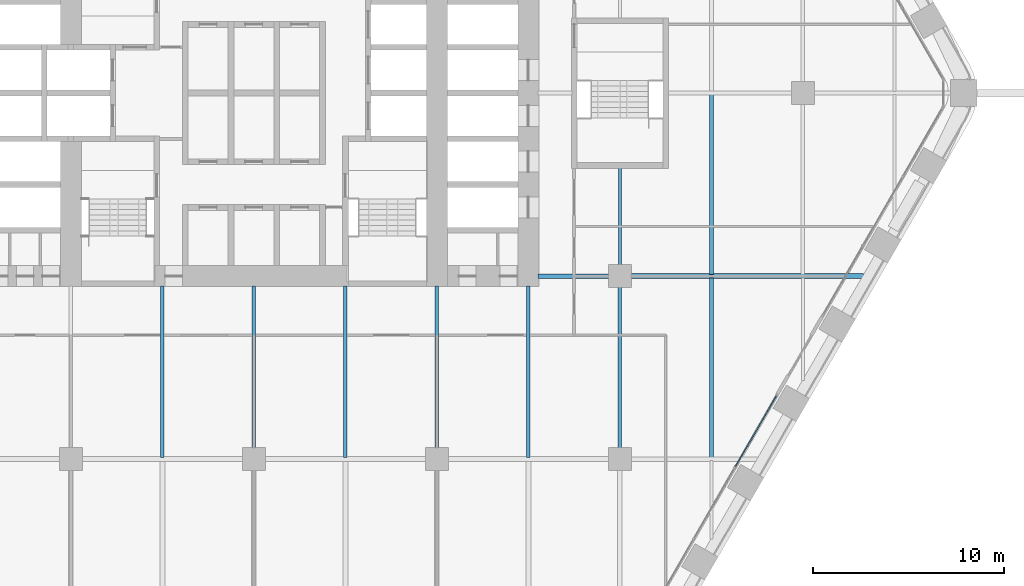
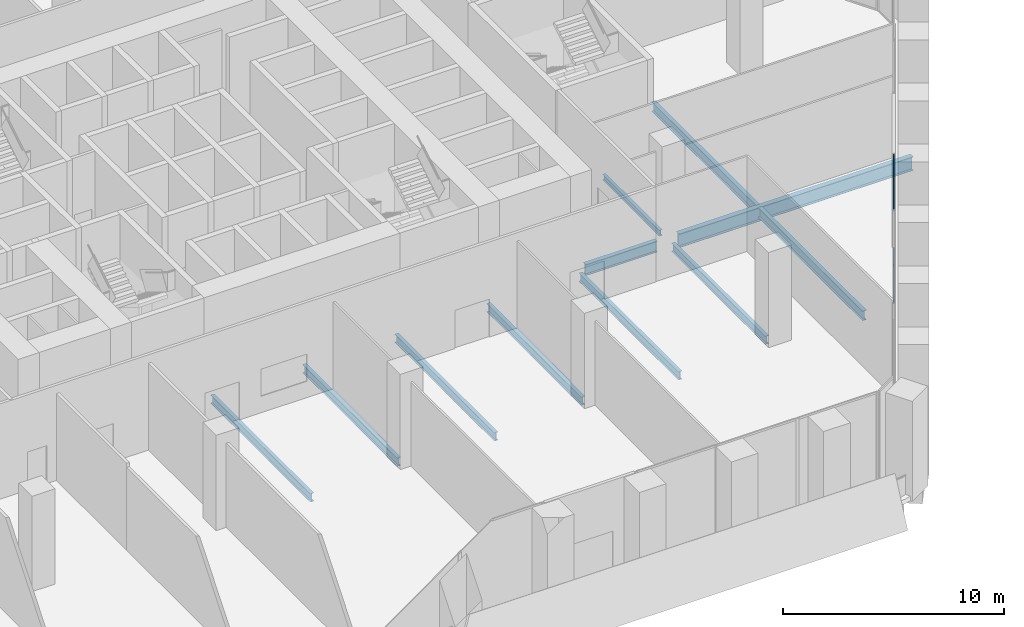
# One storey, part 6 of 29: 11 beams, 2 members, 1 element without a shape of its own.
"""IFC4 building model written with IfcOpenShell, lengths in metres."""

from ifc_helpers import new_model, si_unit, direction, frame, origin, origin_2d, place, context, subcontext, project, spatial, rectangle, i_section, extrude, material, material_profile, profile_set, type_object, element, aggregate, save


model = new_model("IFC4")

# Units and contexts
model_context = context("Model", 3, precision=1e-05, world=origin(), true_north=direction((0.0, 1.0)))
body_context = subcontext(model_context, "Body", "Model", "MODEL_VIEW")
ifc_project = project(units=[si_unit("LENGTHUNIT", "METRE"), si_unit("AREAUNIT", "SQUARE_METRE"), si_unit("VOLUMEUNIT", "CUBIC_METRE"), si_unit("PLANEANGLEUNIT", "RADIAN"), si_unit("MASSUNIT", "GRAM", prefix="KILO")], contexts=[model_context])

# Site, building, storey
site_placement = place(None, origin())
site = spatial("IfcSite", under=ifc_project, at=site_placement, CompositionType="ELEMENT")
building_placement = place(site_placement, origin())
building = spatial("IfcBuilding", under=site, at=building_placement, Name="Kolab Exchange Tower", CompositionType="ELEMENT")
storey_placement = place(building_placement, frame((0.0, 0.0, 33.39990234375)))
storey = spatial("IfcBuildingStorey", under=building, at=storey_placement, Name="L06", CompositionType="ELEMENT", Elevation=33.39990234375)

# Beams
ifc_material_1 = material(Name="Steel S355", Category="steel")
ifc_material_profile_1 = material_profile(ifc_material_1, i_section(OverallWidth=0.1650390625, OverallDepth=0.31005859375, WebThickness=0.005859375, FlangeThickness=0.009765625, at=origin_2d()), Name="W310X39")
ifc_profile_set_1 = profile_set([ifc_material_profile_1], Name="Steel S355")
beam_type_1 = type_object("IfcBeamType", Name="FLOOR BEAM W310X39", PredefinedType="BEAM", material=ifc_profile_set_1)
beam_1_placement = place(storey_placement, frame((19.199951171875, -9.0400390625, -0.40478515625), z_axis=(0.0, 1.0, 0.0), x_axis=(-1.0, 0.0, 0.0)))
element("IfcBeam", 1, at=beam_1_placement, inside=storey, type_object=beam_type_1, Name="beam/L06/fr/048", PredefinedType="BEAM", context=body_context, shape_type="SweptSolid", body=[
    extrude(i_section(OverallWidth=0.1650390625, OverallDepth=0.31005859375, WebThickness=0.005859375, FlangeThickness=0.009765625, at=origin_2d()), origin(), (0.0, 0.0, 1.0), 5.130126953125),
])
ifc_material_profile_2 = material_profile(ifc_material_1, i_section(OverallWidth=0.18994140625, OverallDepth=0.45703125, WebThickness=0.009033203125, FlangeThickness=0.014404296875, at=origin_2d()), Name="W460X74")
ifc_profile_set_2 = profile_set([ifc_material_profile_2], Name="Steel S355")
beam_type_2 = type_object("IfcBeamType", Name="FLOOR BEAM W460X74", PredefinedType="BEAM", material=ifc_profile_set_2)
beam_2_placement = place(storey_placement, frame((-4.800048828125, -19.113037109375, -0.478515625), z_axis=(0.0, 1.0, 0.0), x_axis=(-1.0, 0.0, 0.0)))
element("IfcBeam", 2, at=beam_2_placement, inside=storey, type_object=beam_type_2, Name="beam/L06/fr/027", PredefinedType="BEAM", context=body_context, shape_type="SweptSolid", body=[
    extrude(i_section(OverallWidth=0.18994140625, OverallDepth=0.45703125, WebThickness=0.009033203125, FlangeThickness=0.014404296875, at=origin_2d()), origin(), (0.0, 0.0, 1.0), 9.0029296875),
])
beam_3_placement = place(storey_placement, frame((0.0, -18.639892578125, -0.478515625), z_axis=(0.0, 1.0, 0.0), x_axis=(-1.0, 0.0, 0.0)))
element("IfcBeam", 3, at=beam_3_placement, inside=storey, type_object=beam_type_2, Name="beam/L06/fr/031", PredefinedType="BEAM", context=body_context, shape_type="SweptSolid", body=[
    extrude(i_section(OverallWidth=0.18994140625, OverallDepth=0.45703125, WebThickness=0.009033203125, FlangeThickness=0.014404296875, at=origin_2d()), origin(), (0.0, 0.0, 1.0), 8.52978515625),
])
beam_4_placement = place(storey_placement, frame((4.800048828125, -19.113037109375, -0.478515625), z_axis=(0.0, 1.0, 0.0), x_axis=(-1.0, 0.0, 0.0)))
element("IfcBeam", 4, at=beam_4_placement, inside=storey, type_object=beam_type_2, Name="beam/L06/fr/035", PredefinedType="BEAM", context=body_context, shape_type="SweptSolid", body=[
    extrude(i_section(OverallWidth=0.18994140625, OverallDepth=0.45703125, WebThickness=0.009033203125, FlangeThickness=0.014404296875, at=origin_2d()), origin(), (0.0, 0.0, 1.0), 9.0029296875),
])
beam_5_placement = place(storey_placement, frame((9.60009765625, -18.639892578125, -0.478515625), z_axis=(0.0, 1.0, 0.0), x_axis=(-1.0, 0.0, 0.0)))
element("IfcBeam", 5, at=beam_5_placement, inside=storey, type_object=beam_type_2, Name="beam/L06/fr/039", PredefinedType="BEAM", context=body_context, shape_type="SweptSolid", body=[
    extrude(i_section(OverallWidth=0.18994140625, OverallDepth=0.45703125, WebThickness=0.009033203125, FlangeThickness=0.014404296875, at=origin_2d()), origin(), (0.0, 0.0, 1.0), 8.52978515625),
])
beam_6_placement = place(storey_placement, frame((14.39990234375, -19.113037109375, -0.478515625), z_axis=(0.0, 1.0, 0.0), x_axis=(-1.0, 0.0, 0.0)))
element("IfcBeam", 6, at=beam_6_placement, inside=storey, type_object=beam_type_2, Name="beam/L06/fr/043", PredefinedType="BEAM", context=body_context, shape_type="SweptSolid", body=[
    extrude(i_section(OverallWidth=0.18994140625, OverallDepth=0.45703125, WebThickness=0.009033203125, FlangeThickness=0.014404296875, at=origin_2d()), origin(), (0.0, 0.0, 1.0), 9.0029296875),
])
beam_7_placement = place(storey_placement, frame((19.199951171875, -18.639892578125, -0.478515625), z_axis=(0.0, 1.0, 0.0), x_axis=(-1.0, 0.0, 0.0)))
element("IfcBeam", 7, at=beam_7_placement, inside=storey, type_object=beam_type_2, Name="beam/L06/fr/047", PredefinedType="BEAM", context=body_context, shape_type="SweptSolid", body=[
    extrude(i_section(OverallWidth=0.18994140625, OverallDepth=0.45703125, WebThickness=0.009033203125, FlangeThickness=0.014404296875, at=origin_2d()), origin(), (0.0, 0.0, 1.0), 8.47998046875),
])
ifc_material_profile_3 = material_profile(ifc_material_1, i_section(OverallWidth=0.208984375, OverallDepth=0.532958984375, WebThickness=0.01025390625, FlangeThickness=0.015625, at=origin_2d()), Name="W530X92")
ifc_profile_set_3 = profile_set([ifc_material_profile_3], Name="Steel S355")
beam_type_3 = type_object("IfcBeamType", Name="FLOOR BEAM W530X92", PredefinedType="BEAM", material=ifc_profile_set_3)
beam_8_placement = place(storey_placement, frame((24.0, -19.1259765625, -0.516357421875), z_axis=(0.0, 1.0, 0.0), x_axis=(-1.0, 0.0, 0.0)))
element("IfcBeam", 8, at=beam_8_placement, inside=storey, type_object=beam_type_3, Name="beam/L06/fr/053", PredefinedType="BEAM", context=body_context, shape_type="SweptSolid", body=[
    extrude(i_section(OverallWidth=0.208984375, OverallDepth=0.532958984375, WebThickness=0.01025390625, FlangeThickness=0.015625, at=origin_2d()), origin(), (0.0, 0.0, 1.0), 9.432373046875),
])
beam_9_placement = place(storey_placement, frame((24.0, -9.506591796875, -0.516357421875), z_axis=(0.0, 1.0, 0.0), x_axis=(-1.0, 0.0, 0.0)))
element("IfcBeam", 9, at=beam_9_placement, inside=storey, type_object=beam_type_3, Name="beam/L06/fr/054", PredefinedType="BEAM", context=body_context, shape_type="SweptSolid", body=[
    extrude(i_section(OverallWidth=0.208984375, OverallDepth=0.532958984375, WebThickness=0.01025390625, FlangeThickness=0.015625, at=origin_2d()), origin(), (0.0, 0.0, 1.0), 9.4326171875),
])
ifc_material_profile_4 = material_profile(ifc_material_1, i_section(OverallWidth=0.22802734375, OverallDepth=0.60791015625, WebThickness=0.01123046875, FlangeThickness=0.017333984375, at=origin_2d()), Name="W610X113")
ifc_profile_set_4 = profile_set([ifc_material_profile_4], Name="Steel S355")
beam_type_4 = type_object("IfcBeamType", Name="FLOOR GIRDER W610X113", PredefinedType="BEAM", material=ifc_profile_set_4)
beam_10_placement = place(storey_placement, frame((14.909912109375, -9.60009765625, -0.553955078125), z_axis=(1.0, 0.0, 0.0), x_axis=(0.0, 1.0, 0.0)))
element("IfcBeam", 10, at=beam_10_placement, inside=storey, type_object=beam_type_4, Name="beam/L06/gd/017", PredefinedType="BEAM", context=body_context, shape_type="SweptSolid", body=[
    extrude(i_section(OverallWidth=0.22802734375, OverallDepth=0.60791015625, WebThickness=0.01123046875, FlangeThickness=0.017333984375, at=origin_2d()), origin(), (0.0, 0.0, 1.0), 3.72998046875),
])
ifc_material_profile_5 = material_profile(ifc_material_1, i_section(OverallWidth=0.26708984375, OverallDepth=0.761962890625, WebThickness=0.014404296875, FlangeThickness=0.021484375, at=origin_2d()), Name="W760X173")
ifc_profile_set_5 = profile_set([ifc_material_profile_5], Name="Steel S355")
beam_type_5 = type_object("IfcBeamType", Name="FLOOR GIRDER W760X173", PredefinedType="BEAM", material=ifc_profile_set_5)
beam_11_placement = place(storey_placement, frame((19.760009765625, -9.60009765625, -0.630859375), z_axis=(1.0, 0.0, 0.0), x_axis=(0.0, 1.0, 0.0)))
element("IfcBeam", 11, at=beam_11_placement, inside=storey, type_object=beam_type_5, Name="beam/L06/gd/021", PredefinedType="BEAM", context=body_context, shape_type="SweptSolid", body=[
    extrude(i_section(OverallWidth=0.26708984375, OverallDepth=0.761962890625, WebThickness=0.014404296875, FlangeThickness=0.021484375, at=origin_2d()), origin(), (0.0, 0.0, 1.0), 12.213623046875),
])

# Curtain wall, members
ifc_material_2 = material(Name="Aluminium EN AW-6063 T6", Category="aluminium")
curtain_wall_type = type_object("IfcCurtainWallType", Name="UNITISED LOW ZONE CURTAIN WALL", PredefinedType="NOTDEFINED", material=ifc_material_2)
curtain_wall_placement = place(storey_placement, origin())
curtain_wall = element("IfcCurtainWall", 12, at=curtain_wall_placement, inside=storey, type_object=curtain_wall_type, Name="cw/L06/F3-2", PredefinedType="NOTDEFINED")
ifc_material_profile_6 = material_profile(ifc_material_2, rectangle(XDim=0.06005859375, YDim=0.10009765625, at=origin_2d()), Name="RECT 60X100")
ifc_profile_set_6 = profile_set([ifc_material_profile_6], Name="Aluminium EN AW-6063 T6")
member_type = type_object("IfcMemberType", Name="UNITISED LOW ZONE TRANSOM 60 X 100", PredefinedType="USERDEFINED", material=ifc_profile_set_6)
member_1_placement = place(storey_placement, frame((27.401611328125, -15.8896484375, 0.030029296875), z_axis=(-0.499976099074, -0.866039202551, 0.0), x_axis=(0.866039202551, -0.499976099074, 0.0)))
member_1 = element("IfcMember", 13, at=member_1_placement, type_object=member_type, Name="CW1 transom 1.1", ObjectType="TRANSOM", PredefinedType="USERDEFINED", context=body_context, shape_type="SweptSolid", body=[
    extrude(rectangle(XDim=0.06005859375, YDim=0.10009765625, at=origin_2d()), origin(), (0.0, 0.0, 1.0), 4.277099609375),
])
member_2_placement = place(storey_placement, frame((27.401611328125, -15.8896484375, 5.170166015625), z_axis=(-0.499976099074, -0.866039202551, 0.0), x_axis=(0.866039202551, -0.499976099074, 0.0)))
member_2 = element("IfcMember", 14, at=member_2_placement, type_object=member_type, Name="CW1 transom 1.2", ObjectType="TRANSOM", PredefinedType="USERDEFINED", context=body_context, shape_type="SweptSolid", body=[
    extrude(rectangle(XDim=0.06005859375, YDim=0.10009765625, at=origin_2d()), origin(), (0.0, 0.0, 1.0), 4.277099609375),
])
aggregate(curtain_wall, [member_1, member_2])

save(model, "model.ifc")
